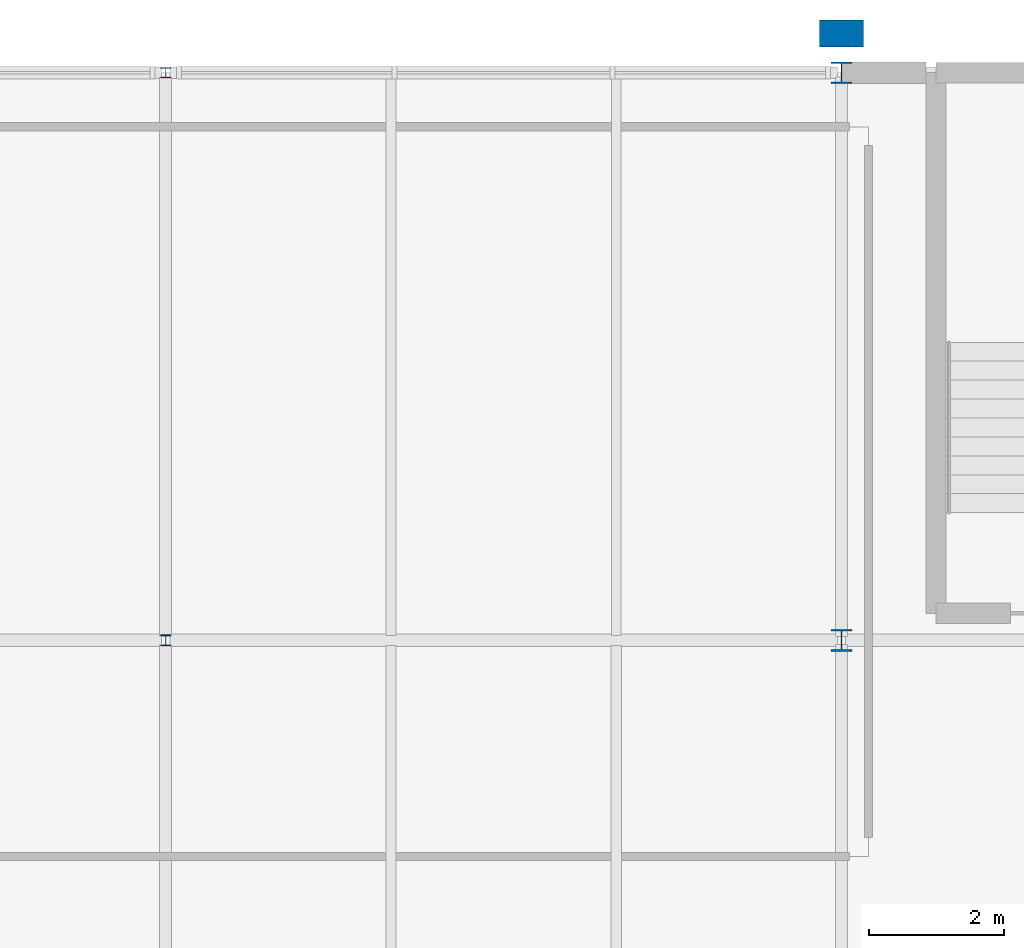
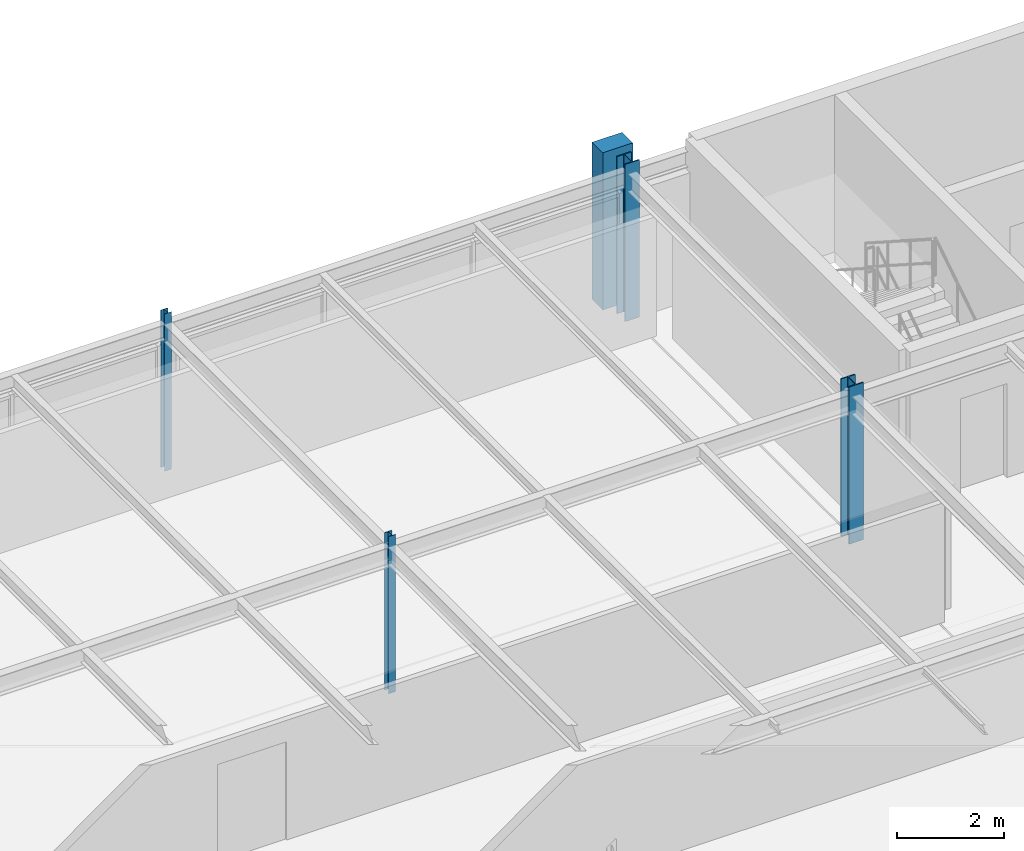
# One storey, part 21 of 109: 5 columns.
"""IFC4 building model written with IfcOpenShell, lengths in metres."""

from ifc_helpers import new_model, si_unit, derived_unit, direction, frame, origin, origin_2d_with_axis, place, context, subcontext, project, spatial, rectangle, i_section, extrude, material, material_profile, profile_set, type_object, element, save


model = new_model("IFC4")

# Units and contexts
model_context = context("Model", 3, precision=1e-05, world=origin(), true_north=direction((0.0, 1.0)))
body_context = subcontext(model_context, "Body", "Model", "MODEL_VIEW")
ifc_project = project(units=[si_unit("LENGTHUNIT", "METRE"), si_unit("AREAUNIT", "SQUARE_METRE"), si_unit("VOLUMEUNIT", "CUBIC_METRE"), si_unit("PLANEANGLEUNIT", "RADIAN"), si_unit("MASSUNIT", "GRAM", prefix="KILO"), derived_unit("THERMALTRANSMITTANCEUNIT", [(si_unit("POWERUNIT", "WATT"), 1), (si_unit("LENGTHUNIT", "METRE"), -2), (si_unit("THERMODYNAMICTEMPERATUREUNIT", "KELVIN"), -1)])], contexts=[model_context])

# Site, building, storey
site_placement = place(None, origin())
site = spatial("IfcSite", under=ifc_project, at=site_placement, CompositionType="ELEMENT")
building_placement = place(site_placement, origin())
building = spatial("IfcBuilding", under=site, at=building_placement, Name="Cinnabar Yard Market Hall", CompositionType="ELEMENT")
storey_placement = place(building_placement, frame((0.0, 0.0, 8.39990234375)))
storey = spatial("IfcBuildingStorey", under=building, at=storey_placement, Name="L02", CompositionType="ELEMENT", Elevation=8.39990234375)

# Columns
ifc_material_1 = material(Name="Steel Grade 350 (350 MPa)", Category="steel")
ifc_material_profile_1 = material_profile(ifc_material_1, i_section(OverallWidth=0.311279296875, OverallDepth=0.3271484375, WebThickness=0.015625, FlangeThickness=0.02490234375, FilletRadius=0.0166015625, at=origin_2d_with_axis()), Name="310UC158")
ifc_profile_set_1 = profile_set([ifc_material_profile_1], Name="Steel Grade 350 (350 MPa)")
column_type_1 = type_object("IfcColumnType", Name="COL-C06", PredefinedType="COLUMN", material=ifc_profile_set_1)
column_1_placement = place(storey_placement, frame((126.0, 129.60009765625, 0.0), z_axis=(0.0, 0.0, 1.0), x_axis=(1.0, 0.0, 0.0)))
element("IfcColumn", 1, at=column_1_placement, inside=storey, type_object=column_type_1, Name="Wing Column V3-07-04 L02", PredefinedType="COLUMN", context=body_context, shape_type="SweptSolid", body=[
    extrude(i_section(OverallWidth=0.311279296875, OverallDepth=0.3271484375, WebThickness=0.015625, FlangeThickness=0.02490234375, FilletRadius=0.0166015625, at=origin_2d_with_axis()), origin(), (0.0, 0.0, 1.0), 3.60009765625),
])
ifc_material_profile_2 = material_profile(ifc_material_1, i_section(OverallWidth=0.30908203125, OverallDepth=0.320556640625, WebThickness=0.013916015625, FlangeThickness=0.021728515625, FilletRadius=0.0166015625, at=origin_2d_with_axis()), Name="310UC137")
ifc_profile_set_2 = profile_set([ifc_material_profile_2], Name="Steel Grade 350 (350 MPa)")
column_type_2 = type_object("IfcColumnType", Name="COL-C07E", PredefinedType="COLUMN", material=ifc_profile_set_2)
column_2_placement = place(storey_placement, frame((126.0, 138.0, 0.0), z_axis=(0.0, 0.0, 1.0), x_axis=(1.0, 0.0, 0.0)))
element("IfcColumn", 2, at=column_2_placement, inside=storey, type_object=column_type_2, Name="Wing Column V3-07-05 L02", PredefinedType="COLUMN", context=body_context, shape_type="SweptSolid", body=[
    extrude(i_section(OverallWidth=0.30908203125, OverallDepth=0.320556640625, WebThickness=0.013916015625, FlangeThickness=0.021728515625, FilletRadius=0.0166015625, at=origin_2d_with_axis()), origin(), (0.0, 0.0, 1.0), 3.60009765625),
])
ifc_material_2 = material(Name="Steel Grade 300 (300 MPa)", Category="steel")
ifc_material_profile_3 = material_profile(ifc_material_2, i_section(OverallWidth=0.15283203125, OverallDepth=0.15771484375, WebThickness=0.006591796875, FlangeThickness=0.009521484375, FilletRadius=0.0087890625, at=origin_2d_with_axis()), Name="150UC30.0")
ifc_profile_set_3 = profile_set([ifc_material_profile_3], Name="Steel Grade 300 (300 MPa)")
column_type_3 = type_object("IfcColumnType", Name="COL-C18", PredefinedType="COLUMN", material=ifc_profile_set_3)
column_3_placement = place(storey_placement, frame((116.0, 129.60009765625, 0.0), z_axis=(0.0, 0.0, 1.0), x_axis=(1.0, 0.0, 0.0)))
element("IfcColumn", 3, at=column_3_placement, inside=storey, type_object=column_type_3, Name="Wing Column V3-06-04 L02", PredefinedType="COLUMN", context=body_context, shape_type="SweptSolid", body=[
    extrude(i_section(OverallWidth=0.15283203125, OverallDepth=0.15771484375, WebThickness=0.006591796875, FlangeThickness=0.009521484375, FilletRadius=0.0087890625, at=origin_2d_with_axis()), origin(), (0.0, 0.0, 1.0), 3.60009765625),
])
ifc_material_profile_4 = material_profile(ifc_material_2, i_section(OverallWidth=0.152099609375, OverallDepth=0.15234375, WebThickness=0.005859375, FlangeThickness=0.0068359375, FilletRadius=0.0087890625, at=origin_2d_with_axis()), Name="150UC23.4")
ifc_profile_set_4 = profile_set([ifc_material_profile_4], Name="Steel Grade 300 (300 MPa)")
column_type_4 = type_object("IfcColumnType", Name="COL-C19E", PredefinedType="COLUMN", material=ifc_profile_set_4)
column_4_placement = place(storey_placement, frame((116.0, 138.0, 0.0), z_axis=(0.0, 0.0, 1.0), x_axis=(1.0, 0.0, 0.0)))
element("IfcColumn", 4, at=column_4_placement, inside=storey, type_object=column_type_4, Name="Wing Column V3-06-05 L02", PredefinedType="COLUMN", context=body_context, shape_type="SweptSolid", body=[
    extrude(i_section(OverallWidth=0.152099609375, OverallDepth=0.15234375, WebThickness=0.005859375, FlangeThickness=0.0068359375, FilletRadius=0.0087890625, at=origin_2d_with_axis()), origin(), (0.0, 0.0, 1.0), 3.60009765625),
])
ifc_material_3 = material(Name="Concrete 40 MPa", Category="concrete")
ifc_material_profile_5 = material_profile(ifc_material_3, rectangle(XDim=0.64990234375, YDim=0.39990234375, at=origin_2d_with_axis()), Name="RC-650x400")
ifc_profile_set_5 = profile_set([ifc_material_profile_5], Name="Concrete 40 MPa")
column_type_5 = type_object("IfcColumnType", Name="COL-PIL2E", PredefinedType="PILASTER", material=ifc_profile_set_5)
column_5_placement = place(storey_placement, frame((126.0, 138.580078125, 0.0), z_axis=(0.0, 0.0, 1.0), x_axis=(1.0, 0.0, 0.0)))
element("IfcColumn", 5, at=column_5_placement, inside=storey, type_object=column_type_5, Name="Engaged Pilaster 10 L02", PredefinedType="PILASTER", context=body_context, shape_type="SweptSolid", body=[
    extrude(rectangle(XDim=0.64990234375, YDim=0.39990234375, at=origin_2d_with_axis()), origin(), (0.0, 0.0, 1.0), 3.60009765625),
])

save(model, "model.ifc")
